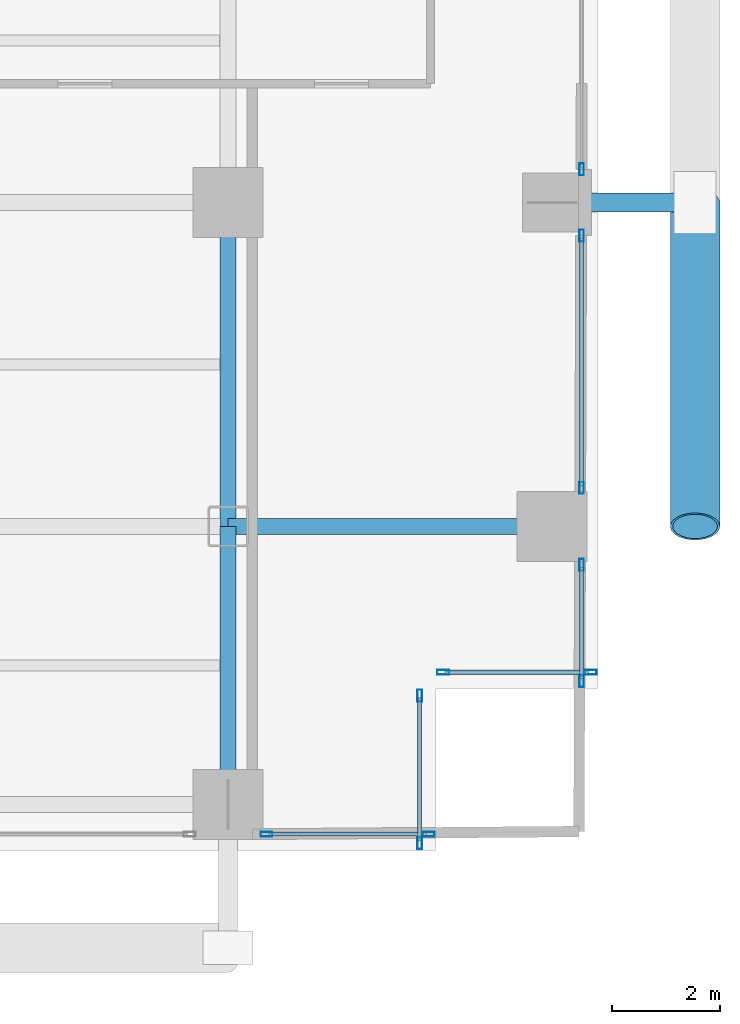
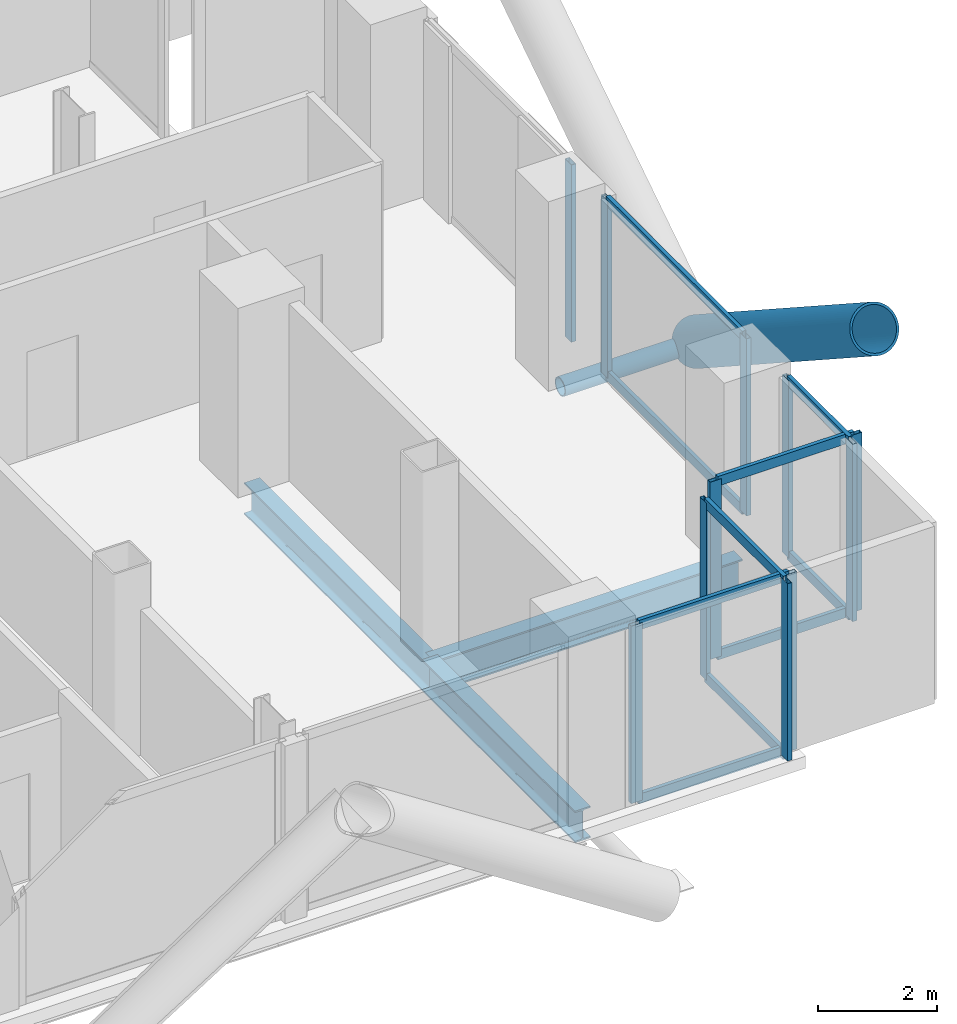
# One storey, part 10 of 25: 23 members, 3 beams, 6 elements without a shape of their own.
"""IFC4 building model written with IfcOpenShell, lengths in metres."""

from ifc_helpers import new_model, si_unit, direction, frame, origin, origin_2d, place, context, subcontext, project, spatial, hollow_rectangle, hollow_circle, i_section, extrude, material, layer, layer_set, material_profile, profile_set, type_object, element, aggregate, save


model = new_model("IFC4")

# Units and contexts
model_context = context("Model", 3, precision=1e-05, world=origin(), true_north=direction((0.0, 1.0)))
body_context = subcontext(model_context, "Body", "Model", "MODEL_VIEW")
ifc_project = project(units=[si_unit("LENGTHUNIT", "METRE"), si_unit("AREAUNIT", "SQUARE_METRE"), si_unit("VOLUMEUNIT", "CUBIC_METRE"), si_unit("PLANEANGLEUNIT", "RADIAN"), si_unit("MASSUNIT", "GRAM", prefix="KILO"), si_unit("THERMODYNAMICTEMPERATUREUNIT", "KELVIN"), si_unit("POWERUNIT", "WATT")], contexts=[model_context])

# Site, building, storey
site_placement = place(None, origin())
site = spatial("IfcSite", under=ifc_project, at=site_placement, CompositionType="ELEMENT")
building_placement = place(site_placement, origin())
building = spatial("IfcBuilding", under=site, at=building_placement, Name="Svarakhadi Broadcast Tower", CompositionType="ELEMENT")
storey_placement = place(building_placement, frame((0.0, 0.0, 67.5)))
storey = spatial("IfcBuildingStorey", under=building, at=storey_placement, Name="L15", CompositionType="ELEMENT", Elevation=67.5)

# Curtain wall, member
ifc_material_1 = material(Name="Anodised Bronze Aluminium AA 6063-T6", Category="aluminium")
ifc_layer = layer(ifc_material_1, 0.219970703125)
ifc_layer_set = layer_set([ifc_layer], Name="Anodised Bronze Aluminium AA 6063-T6")
curtain_wall_type = type_object("IfcCurtainWallType", Name="CW_Sys_02", PredefinedType="NOTDEFINED", material=ifc_layer_set)
curtain_wall_1_placement = place(storey_placement, origin())
curtain_wall_1 = element("IfcCurtainWall", 1, at=curtain_wall_1_placement, inside=storey, type_object=curtain_wall_type, Name="L15 Unitised Facade Curtain Wall 13 Bay 2", PredefinedType="NOTDEFINED")
ifc_material_profile_1 = material_profile(ifc_material_1, hollow_rectangle(XDim=0.0849609375, YDim=0.219970703125, WallThickness=0.006103515625, at=origin_2d()), Name="ALU MULLION 220x85x6")
ifc_profile_set_1 = profile_set([ifc_material_profile_1], Name="Anodised Bronze Aluminium AA 6063-T6")
member_type_1 = type_object("IfcMemberType", Name="CW_Sys_02_Mul", PredefinedType="MULLION", material=ifc_profile_set_1)
member_1_placement = place(storey_placement, frame((53.699951171875, 12.612548828125, 0.0), z_axis=(0.0, 0.0, 1.0), x_axis=(1.0, 0.0, 0.0)))
member_1 = element("IfcMember", 2, at=member_1_placement, type_object=member_type_1, Name="CW-02 mullion 2", PredefinedType="MULLION", context=body_context, shape_type="SweptSolid", body=[
    extrude(hollow_rectangle(XDim=0.0849609375, YDim=0.219970703125, WallThickness=0.006103515625, at=origin_2d()), origin(), (0.0, 0.0, 1.0), 3.64990234375),
])
aggregate(curtain_wall_1, [member_1])

# Curtain wall, members
curtain_wall_2_placement = place(storey_placement, origin())
curtain_wall_2 = element("IfcCurtainWall", 3, at=curtain_wall_2_placement, inside=storey, type_object=curtain_wall_type, Name="L15 Unitised Facade Curtain Wall 13 Bay 3", PredefinedType="NOTDEFINED")
member_2_placement = place(storey_placement, frame((53.699951171875, 11.387451171875, 0.0), z_axis=(0.0, 0.0, 1.0), x_axis=(1.0, 0.0, 0.0)))
member_2 = element("IfcMember", 4, at=member_2_placement, type_object=member_type_1, Name="CW-02 mullion 1", PredefinedType="MULLION", context=body_context, shape_type="SweptSolid", body=[
    extrude(hollow_rectangle(XDim=0.0849609375, YDim=0.219970703125, WallThickness=0.006103515625, at=origin_2d()), origin(), (0.0, 0.0, 1.0), 3.64990234375),
])
member_3_placement = place(storey_placement, frame((53.699951171875, 6.71240234375, 0.0), z_axis=(0.0, 0.0, 1.0), x_axis=(1.0, 0.0, 0.0)))
member_3 = element("IfcMember", 5, at=member_3_placement, type_object=member_type_1, Name="CW-02 mullion 2", PredefinedType="MULLION", context=body_context, shape_type="SweptSolid", body=[
    extrude(hollow_rectangle(XDim=0.0849609375, YDim=0.219970703125, WallThickness=0.006103515625, at=origin_2d()), origin(), (0.0, 0.0, 1.0), 3.64990234375),
])

curtain_wall_3_placement = place(storey_placement, origin())
curtain_wall_3 = element("IfcCurtainWall", 6, at=curtain_wall_3_placement, inside=storey, type_object=curtain_wall_type, Name="L15 Unitised Facade Curtain Wall 13 Bay 4", PredefinedType="NOTDEFINED")
member_4_placement = place(storey_placement, frame((53.699951171875, 5.28759765625, 0.0), z_axis=(0.0, 0.0, 1.0), x_axis=(1.0, 0.0, 0.0)))
member_4 = element("IfcMember", 7, at=member_4_placement, type_object=member_type_1, Name="CW-02 mullion 1", PredefinedType="MULLION", context=body_context, shape_type="SweptSolid", body=[
    extrude(hollow_rectangle(XDim=0.0849609375, YDim=0.219970703125, WallThickness=0.006103515625, at=origin_2d()), origin(), (0.0, 0.0, 1.0), 3.64990234375),
])
member_5_placement = place(storey_placement, frame((53.699951171875, 3.132568359375, 0.0), z_axis=(0.0, 0.0, 1.0), x_axis=(1.0, 0.0, 0.0)))
member_5 = element("IfcMember", 8, at=member_5_placement, type_object=member_type_1, Name="CW-02 mullion 2", PredefinedType="MULLION", context=body_context, shape_type="SweptSolid", body=[
    extrude(hollow_rectangle(XDim=0.0849609375, YDim=0.219970703125, WallThickness=0.006103515625, at=origin_2d()), origin(), (0.0, 0.0, 1.0), 3.64990234375),
])

curtain_wall_4_placement = place(storey_placement, origin())
curtain_wall_4 = element("IfcCurtainWall", 9, at=curtain_wall_4_placement, inside=storey, type_object=curtain_wall_type, Name="L15 Unitised Facade Curtain Wall 14", PredefinedType="NOTDEFINED")
member_6_placement = place(storey_placement, frame((53.867431640625, 3.300048828125, 0.0), z_axis=(0.0, 0.0, 1.0), x_axis=(0.0, -1.0, 0.0)))
member_6 = element("IfcMember", 10, at=member_6_placement, type_object=member_type_1, Name="CW-02 mullion 1", PredefinedType="MULLION", context=body_context, shape_type="SweptSolid", body=[
    extrude(hollow_rectangle(XDim=0.0849609375, YDim=0.219970703125, WallThickness=0.006103515625, at=origin_2d()), origin(), (0.0, 0.0, 1.0), 3.64990234375),
])
member_7_placement = place(storey_placement, frame((51.132568359375, 3.300048828125, 0.0), z_axis=(0.0, 0.0, 1.0), x_axis=(0.0, -1.0, 0.0)))
member_7 = element("IfcMember", 11, at=member_7_placement, type_object=member_type_1, Name="CW-02 mullion 2", PredefinedType="MULLION", context=body_context, shape_type="SweptSolid", body=[
    extrude(hollow_rectangle(XDim=0.0849609375, YDim=0.219970703125, WallThickness=0.006103515625, at=origin_2d()), origin(), (0.0, 0.0, 1.0), 3.64990234375),
])

curtain_wall_5_placement = place(storey_placement, origin())
curtain_wall_5 = element("IfcCurtainWall", 12, at=curtain_wall_5_placement, inside=storey, type_object=curtain_wall_type, Name="L15 Unitised Facade Curtain Wall 15", PredefinedType="NOTDEFINED")
member_8_placement = place(storey_placement, frame((50.699951171875, 2.867431640625, 0.0), z_axis=(0.0, 0.0, 1.0), x_axis=(1.0, 0.0, 0.0)))
member_8 = element("IfcMember", 13, at=member_8_placement, type_object=member_type_1, Name="CW-02 mullion 1", PredefinedType="MULLION", context=body_context, shape_type="SweptSolid", body=[
    extrude(hollow_rectangle(XDim=0.0849609375, YDim=0.219970703125, WallThickness=0.006103515625, at=origin_2d()), origin(), (0.0, 0.0, 1.0), 3.64990234375),
])
member_9_placement = place(storey_placement, frame((50.699951171875, 0.132568359375, 0.0), z_axis=(0.0, 0.0, 1.0), x_axis=(1.0, 0.0, 0.0)))
member_9 = element("IfcMember", 14, at=member_9_placement, type_object=member_type_1, Name="CW-02 mullion 2", PredefinedType="MULLION", context=body_context, shape_type="SweptSolid", body=[
    extrude(hollow_rectangle(XDim=0.0849609375, YDim=0.219970703125, WallThickness=0.006103515625, at=origin_2d()), origin(), (0.0, 0.0, 1.0), 3.64990234375),
])

curtain_wall_6_placement = place(storey_placement, origin())
curtain_wall_6 = element("IfcCurtainWall", 15, at=curtain_wall_6_placement, inside=storey, type_object=curtain_wall_type, Name="L15 South Curtain Wall 16 Bay 1", PredefinedType="NOTDEFINED")
member_10_placement = place(storey_placement, frame((50.867431640625, 0.300048828125, 0.0), z_axis=(0.0, 0.0, 1.0), x_axis=(0.0, -1.0, 0.0)))
member_10 = element("IfcMember", 16, at=member_10_placement, type_object=member_type_1, Name="CW-02 mullion 1", PredefinedType="MULLION", context=body_context, shape_type="SweptSolid", body=[
    extrude(hollow_rectangle(XDim=0.0849609375, YDim=0.219970703125, WallThickness=0.006103515625, at=origin_2d()), origin(), (0.0, 0.0, 1.0), 3.64990234375),
])
member_11_placement = place(storey_placement, frame((47.862548828125, 0.300048828125, 0.0), z_axis=(0.0, 0.0, 1.0), x_axis=(0.0, -1.0, 0.0)))
member_11 = element("IfcMember", 17, at=member_11_placement, type_object=member_type_1, Name="CW-02 mullion 2", PredefinedType="MULLION", context=body_context, shape_type="SweptSolid", body=[
    extrude(hollow_rectangle(XDim=0.0849609375, YDim=0.219970703125, WallThickness=0.006103515625, at=origin_2d()), origin(), (0.0, 0.0, 1.0), 3.64990234375),
])

# Member
ifc_material_profile_2 = material_profile(ifc_material_1, hollow_rectangle(XDim=0.074951171875, YDim=0.199951171875, WallThickness=0.0048828125, at=origin_2d()), Name="ALU TRANSOM 200x75x5")
ifc_profile_set_2 = profile_set([ifc_material_profile_2], Name="Anodised Bronze Aluminium AA 6063-T6")
member_type_2 = type_object("IfcMemberType", Name="CW_Sys_02_Trn", PredefinedType="USERDEFINED", material=ifc_profile_set_2)
member_12_placement = place(storey_placement, frame((53.699951171875, 11.344970703125, 0.03759765625), z_axis=(0.0, -1.0, 0.0), x_axis=(1.0, 0.0, 0.0)))
member_12 = element("IfcMember", 18, at=member_12_placement, type_object=member_type_2, Name="CW-02 transom 1.1", ObjectType="TRANSOM", PredefinedType="USERDEFINED", context=body_context, shape_type="SweptSolid", body=[
    extrude(hollow_rectangle(XDim=0.074951171875, YDim=0.199951171875, WallThickness=0.0048828125, at=origin_2d()), origin(), (0.0, 0.0, 1.0), 4.590087890625),
])

member_13_placement = place(storey_placement, frame((53.699951171875, 11.344970703125, 3.612548828125), z_axis=(0.0, -1.0, 0.0), x_axis=(1.0, 0.0, 0.0)))
member_13 = element("IfcMember", 19, at=member_13_placement, type_object=member_type_2, Name="CW-02 transom 1.2", ObjectType="TRANSOM", PredefinedType="USERDEFINED", context=body_context, shape_type="SweptSolid", body=[
    extrude(hollow_rectangle(XDim=0.074951171875, YDim=0.199951171875, WallThickness=0.0048828125, at=origin_2d()), origin(), (0.0, 0.0, 1.0), 4.590087890625),
])

aggregate(curtain_wall_2, [member_2, member_3, member_12, member_13])

member_14_placement = place(storey_placement, frame((53.699951171875, 5.2451171875, 0.03759765625), z_axis=(0.0, -1.0, 0.0), x_axis=(1.0, 0.0, 0.0)))
member_14 = element("IfcMember", 20, at=member_14_placement, type_object=member_type_2, Name="CW-02 transom 1.1", ObjectType="TRANSOM", PredefinedType="USERDEFINED", context=body_context, shape_type="SweptSolid", body=[
    extrude(hollow_rectangle(XDim=0.074951171875, YDim=0.199951171875, WallThickness=0.0048828125, at=origin_2d()), origin(), (0.0, 0.0, 1.0), 2.070068359375),
])

member_15_placement = place(storey_placement, frame((53.699951171875, 5.2451171875, 3.612548828125), z_axis=(0.0, -1.0, 0.0), x_axis=(1.0, 0.0, 0.0)))
member_15 = element("IfcMember", 21, at=member_15_placement, type_object=member_type_2, Name="CW-02 transom 1.2", ObjectType="TRANSOM", PredefinedType="USERDEFINED", context=body_context, shape_type="SweptSolid", body=[
    extrude(hollow_rectangle(XDim=0.074951171875, YDim=0.199951171875, WallThickness=0.0048828125, at=origin_2d()), origin(), (0.0, 0.0, 1.0), 2.070068359375),
])

aggregate(curtain_wall_3, [member_4, member_5, member_14, member_15])

member_16_placement = place(storey_placement, frame((53.824951171875, 3.300048828125, 0.03759765625), z_axis=(-1.0, 0.0, 0.0), x_axis=(0.0, -1.0, 0.0)))
member_16 = element("IfcMember", 22, at=member_16_placement, type_object=member_type_2, Name="CW-02 transom 1.1", ObjectType="TRANSOM", PredefinedType="USERDEFINED", context=body_context, shape_type="SweptSolid", body=[
    extrude(hollow_rectangle(XDim=0.074951171875, YDim=0.199951171875, WallThickness=0.0048828125, at=origin_2d()), origin(), (0.0, 0.0, 1.0), 2.64990234375),
])

member_17_placement = place(storey_placement, frame((53.824951171875, 3.300048828125, 3.612548828125), z_axis=(-1.0, 0.0, 0.0), x_axis=(0.0, -1.0, 0.0)))
member_17 = element("IfcMember", 23, at=member_17_placement, type_object=member_type_2, Name="CW-02 transom 1.2", ObjectType="TRANSOM", PredefinedType="USERDEFINED", context=body_context, shape_type="SweptSolid", body=[
    extrude(hollow_rectangle(XDim=0.074951171875, YDim=0.199951171875, WallThickness=0.0048828125, at=origin_2d()), origin(), (0.0, 0.0, 1.0), 2.64990234375),
])

aggregate(curtain_wall_4, [member_6, member_7, member_16, member_17])

member_18_placement = place(storey_placement, frame((50.699951171875, 2.824951171875, 0.03759765625), z_axis=(0.0, -1.0, 0.0), x_axis=(1.0, 0.0, 0.0)))
member_18 = element("IfcMember", 24, at=member_18_placement, type_object=member_type_2, Name="CW-02 transom 1.1", ObjectType="TRANSOM", PredefinedType="USERDEFINED", context=body_context, shape_type="SweptSolid", body=[
    extrude(hollow_rectangle(XDim=0.074951171875, YDim=0.199951171875, WallThickness=0.0048828125, at=origin_2d()), origin(), (0.0, 0.0, 1.0), 2.64990234375),
])

member_19_placement = place(storey_placement, frame((50.699951171875, 2.824951171875, 3.612548828125), z_axis=(0.0, -1.0, 0.0), x_axis=(1.0, 0.0, 0.0)))
member_19 = element("IfcMember", 25, at=member_19_placement, type_object=member_type_2, Name="CW-02 transom 1.2", ObjectType="TRANSOM", PredefinedType="USERDEFINED", context=body_context, shape_type="SweptSolid", body=[
    extrude(hollow_rectangle(XDim=0.074951171875, YDim=0.199951171875, WallThickness=0.0048828125, at=origin_2d()), origin(), (0.0, 0.0, 1.0), 2.64990234375),
])

aggregate(curtain_wall_5, [member_8, member_9, member_18, member_19])

member_20_placement = place(storey_placement, frame((50.824951171875, 0.300048828125, 0.03759765625), z_axis=(-1.0, 0.0, 0.0), x_axis=(0.0, -1.0, 0.0)))
member_20 = element("IfcMember", 26, at=member_20_placement, type_object=member_type_2, Name="CW-02 transom 1.1", ObjectType="TRANSOM", PredefinedType="USERDEFINED", context=body_context, shape_type="SweptSolid", body=[
    extrude(hollow_rectangle(XDim=0.074951171875, YDim=0.199951171875, WallThickness=0.0048828125, at=origin_2d()), origin(), (0.0, 0.0, 1.0), 2.919921875),
])

member_21_placement = place(storey_placement, frame((50.824951171875, 0.300048828125, 3.612548828125), z_axis=(-1.0, 0.0, 0.0), x_axis=(0.0, -1.0, 0.0)))
member_21 = element("IfcMember", 27, at=member_21_placement, type_object=member_type_2, Name="CW-02 transom 1.2", ObjectType="TRANSOM", PredefinedType="USERDEFINED", context=body_context, shape_type="SweptSolid", body=[
    extrude(hollow_rectangle(XDim=0.074951171875, YDim=0.199951171875, WallThickness=0.0048828125, at=origin_2d()), origin(), (0.0, 0.0, 1.0), 2.919921875),
])

aggregate(curtain_wall_6, [member_10, member_11, member_20, member_21])

# Members
ifc_material_2 = material(Name="Steel S460ML (IS 2062 E450BR)", Category="steel")
ifc_material_profile_3 = material_profile(ifc_material_2, hollow_circle(Radius=0.45703125, WallThickness=0.044921875, at=origin_2d()), Name="CHS 914x45")
ifc_profile_set_3 = profile_set([ifc_material_profile_3], Name="Steel S460ML (IS 2062 E450BR)")
member_type_3 = type_object("IfcMemberType", Name="Exo_Brace_CHS914", PredefinedType="BRACE", material=ifc_profile_set_3)
member_22_placement = place(storey_placement, frame((55.800048828125, 12.0, -0.427734375), z_axis=(0.0, -0.838449851971, 0.544978757136), x_axis=(1.0, 0.0, 0.0)))
element("IfcMember", 28, at=member_22_placement, inside=storey, type_object=member_type_3, Name="L15 Exposed Bronze Exoskeleton Diagonal E08", PredefinedType="BRACE", context=body_context, shape_type="SweptSolid", body=[
    extrude(hollow_circle(Radius=0.45703125, WallThickness=0.044921875, at=origin_2d()), origin(), (0.0, 0.0, 1.0), 7.156005859375),
])
ifc_material_profile_4 = material_profile(ifc_material_2, hollow_circle(Radius=0.177734375, WallThickness=0.02001953125, at=origin_2d()), Name="CHS 355.6x20")
ifc_profile_set_4 = profile_set([ifc_material_profile_4], Name="Steel S460ML (IS 2062 E450BR)")
member_type_4 = type_object("IfcMemberType", Name="Exo_Radial_Strut_Z1", PredefinedType="STRUT", material=ifc_profile_set_4)
member_23_placement = place(storey_placement, frame((55.800048828125, 12.0, -0.427734375), z_axis=(-1.0, 0.0, 0.0), x_axis=(0.0, -1.0, 0.0)))
element("IfcMember", 29, at=member_23_placement, inside=storey, type_object=member_type_4, Name="L15 Exoskeleton Radial Tie Strut E06", PredefinedType="STRUT", context=body_context, shape_type="SweptSolid", body=[
    extrude(hollow_circle(Radius=0.177734375, WallThickness=0.02001953125, at=origin_2d()), origin(), (0.0, 0.0, 1.0), 2.650146484375),
])

# Beams
ifc_material_3 = material(Name="Steel S355J2 (IS 2062 E350C)", Category="steel")
ifc_material_profile_5 = material_profile(ifc_material_3, i_section(OverallWidth=0.300048828125, OverallDepth=0.64990234375, WebThickness=0.01611328125, FlangeThickness=0.031005859375, FilletRadius=0.027099609375, at=origin_2d()), Name="WPB 650x300x225")
ifc_profile_set_5 = profile_set([ifc_material_profile_5], Name="Steel S355J2 (IS 2062 E350C)")
beam_type = type_object("IfcBeamType", Name="Girder_WPB650", PredefinedType="USERDEFINED", material=ifc_profile_set_5)
beam_1_placement = place(storey_placement, frame((47.14990234375, 6.0, -0.574951171875), z_axis=(1.0, 0.0, 0.0), x_axis=(0.0, 1.0, 0.0)))
element("IfcBeam", 30, at=beam_1_placement, inside=storey, type_object=beam_type, Name="L15 Primary E-W Girder G018", ObjectType="GIRDER", PredefinedType="USERDEFINED", context=body_context, shape_type="SweptSolid", body=[
    extrude(i_section(OverallWidth=0.300048828125, OverallDepth=0.64990234375, WebThickness=0.01611328125, FlangeThickness=0.031005859375, FilletRadius=0.027099609375, at=origin_2d()), origin(), (0.0, 0.0, 1.0), 6.0),
])
beam_2_placement = place(storey_placement, frame((47.14990234375, 0.85009765625, -0.574951171875), z_axis=(0.0, 1.0, 0.0), x_axis=(-1.0, 0.0, 0.0)))
element("IfcBeam", 31, at=beam_2_placement, inside=storey, type_object=beam_type, Name="L15 Primary N-S Girder G082", ObjectType="GIRDER", PredefinedType="USERDEFINED", context=body_context, shape_type="SweptSolid", body=[
    extrude(i_section(OverallWidth=0.300048828125, OverallDepth=0.64990234375, WebThickness=0.01611328125, FlangeThickness=0.031005859375, FilletRadius=0.027099609375, at=origin_2d()), origin(), (0.0, 0.0, 1.0), 5.14990234375),
])
beam_3_placement = place(storey_placement, frame((47.14990234375, 6.0, -0.574951171875), z_axis=(0.0, 1.0, 0.0), x_axis=(-1.0, 0.0, 0.0)))
element("IfcBeam", 32, at=beam_3_placement, inside=storey, type_object=beam_type, Name="L15 Primary N-S Girder G083", ObjectType="GIRDER", PredefinedType="USERDEFINED", context=body_context, shape_type="SweptSolid", body=[
    extrude(i_section(OverallWidth=0.300048828125, OverallDepth=0.64990234375, WebThickness=0.01611328125, FlangeThickness=0.031005859375, FilletRadius=0.027099609375, at=origin_2d()), origin(), (0.0, 0.0, 1.0), 6.0),
])

save(model, "model.ifc")
